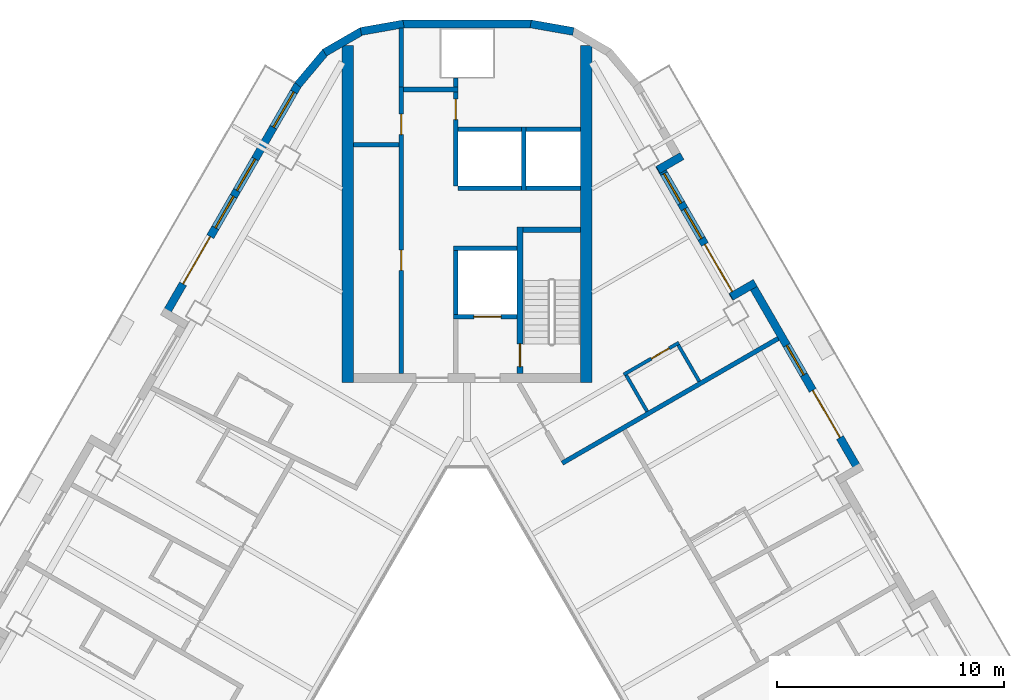
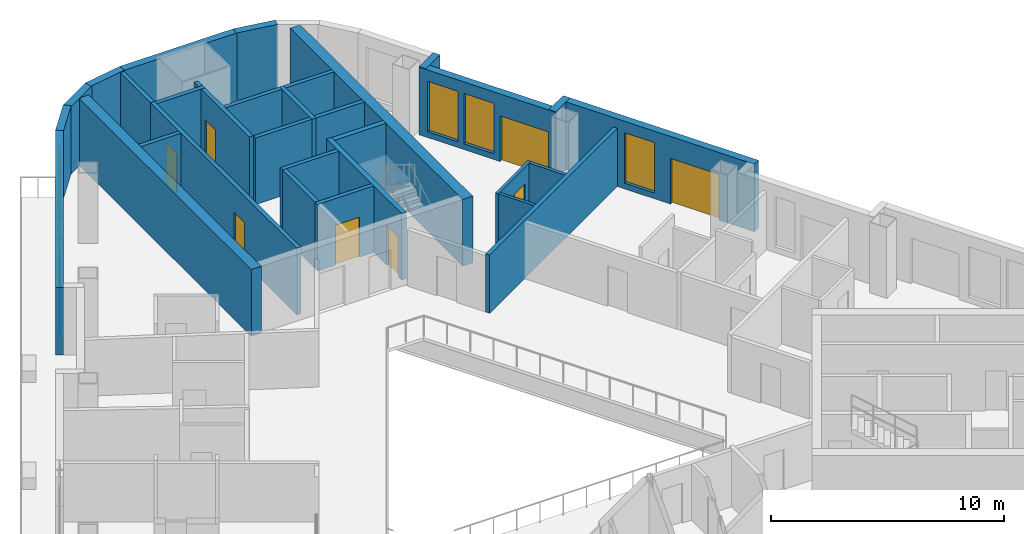
# One storey, part 7 of 14: 32 walls, 9 doors, 6 windows, 15 openings.
"""IFC4 building model written with IfcOpenShell, lengths in metres."""

from ifc_helpers import new_model, si_unit, direction, frame, frame_2d, origin, place, context, subcontext, project, spatial, rectangle, extrude, material, layer, layer_set, type_object, element, fill, save


model = new_model("IFC4")

# Units and contexts
model_context = context("Model", 3, precision=1e-05, world=origin(), true_north=direction((0.0, 1.0)))
body_context = subcontext(model_context, "Body", "Model", "MODEL_VIEW")
ifc_project = project(units=[si_unit("LENGTHUNIT", "METRE"), si_unit("AREAUNIT", "SQUARE_METRE"), si_unit("VOLUMEUNIT", "CUBIC_METRE"), si_unit("PLANEANGLEUNIT", "RADIAN"), si_unit("MASSUNIT", "GRAM", prefix="KILO")], contexts=[model_context])

# Site, building, storey
site_placement = place(None, origin())
site = spatial("IfcSite", under=ifc_project, at=site_placement, CompositionType="ELEMENT")
building_placement = place(site_placement, origin())
building = spatial("IfcBuilding", under=site, at=building_placement, Name="Apuvela Tower Hotel", CompositionType="ELEMENT")
storey_placement = place(building_placement, frame((0.0, 0.0, 150.300048828125)))
storey = spatial("IfcBuildingStorey", under=building, at=storey_placement, Name="L35", CompositionType="ELEMENT", Elevation=150.300048828125)

# Walls
ifc_material_1 = material(Name="Concrete C50/60", Category="concrete")
ifc_layer_1 = layer(ifc_material_1, 0.5)
ifc_layer_set_1 = layer_set([ifc_layer_1], Name="COR-WALL-CORE-500")
wall_type_1 = type_object("IfcWallType", Name="COR-WALL-CORE-500", PredefinedType="SHEAR", material=ifc_layer_set_1)
for number, where, z_axis, x_axis, name in (
    (1, (5.25, 12.89990234375, 0.0), (0.0, 0.0, 1.0), (0.0, 1.0, 0.0), "Core wall N"),
    (2, (-5.25, 12.89990234375, 0.0), (0.0, 0.0, 1.0), (0.0, 1.0, 0.0), "Core wall N"),
):
    element("IfcWall", number, at=place(storey_placement, frame(where, z_axis=z_axis, x_axis=x_axis)), inside=storey, type_object=wall_type_1, Name=name, PredefinedType="SHEAR", context=body_context, shape_type="SweptSolid", body=[
        extrude(rectangle(XDim=14.8369140625, YDim=0.5, at=frame_2d((7.41845703125, 0.0))), origin(), (0.0, 0.0, 1.0), 3.5),
    ])
ifc_material_2 = material(Name="Blockwork 200 mm plastered", Category="masonry")
ifc_layer_2 = layer(ifc_material_2, 0.199951171875)
ifc_layer_set_2 = layer_set([ifc_layer_2], Name="COR-WALL-PART-200")
wall_type_2 = type_object("IfcWallType", Name="COR-WALL-PART-200", PredefinedType="PARTITIONING", material=ifc_layer_set_2)
wall_1_placement = place(storey_placement, frame((5.0, 21.449951171875, 0.0), z_axis=(0.0, 0.0, 1.0), x_axis=(-1.0, 0.0, 0.0)))
element("IfcWall", 3, at=wall_1_placement, inside=storey, type_object=wall_type_2, Name="Partition N", PredefinedType="PARTITIONING", context=body_context, shape_type="SweptSolid", body=[
    extrude(rectangle(XDim=2.39990234375, YDim=0.199951171875, at=frame_2d((1.199951171875, 0.0))), origin(), (0.0, 0.0, 1.0), 3.5),
])
wall_2_placement = place(storey_placement, frame((2.39990234375, 21.449951171875, 0.0), z_axis=(0.0, 0.0, 1.0), x_axis=(-1.0, 0.0, 0.0)))
element("IfcWall", 4, at=wall_2_placement, inside=storey, type_object=wall_type_2, Name="Partition N", PredefinedType="PARTITIONING", context=body_context, shape_type="SweptSolid", body=[
    extrude(rectangle(XDim=2.7998046875, YDim=0.199951171875, at=frame_2d((1.39990234375, 0.0))), origin(), (0.0, 0.0, 1.0), 3.5),
])
ifc_layer_3 = layer(ifc_material_1, 0.199951171875)
ifc_layer_set_3 = layer_set([ifc_layer_3], Name="COR-WALL-SHAFT-200")
wall_type_3 = type_object("IfcWallType", Name="COR-WALL-SHAFT-200", PredefinedType="SHEAR", material=ifc_layer_set_3)
wall_3_placement = place(storey_placement, frame((2.199951171875, 18.800048828125, 0.0), z_axis=(0.0, 0.0, 1.0), x_axis=(-1.0, 0.0, 0.0)))
element("IfcWall", 5, at=wall_3_placement, inside=storey, type_object=wall_type_3, Name="Shaft wall N", PredefinedType="SHEAR", context=body_context, shape_type="SweptSolid", body=[
    extrude(rectangle(XDim=2.800048828125, YDim=0.199951171875, at=frame_2d((1.39990234375, 0.0))), origin(), (0.0, 0.0, 1.0), 3.5),
])

# Wall, opening, door
wall_4_placement = place(storey_placement, frame((2.199951171875, 15.800048828125, 0.0), z_axis=(0.0, 0.0, 1.0), x_axis=(-1.0, 0.0, 0.0)))
wall_4 = element("IfcWall", 6, at=wall_4_placement, inside=storey, type_object=wall_type_3, Name="Shaft wall N", PredefinedType="SHEAR", context=body_context, shape_type="SweptSolid", body=[
    extrude(rectangle(XDim=2.800048828125, YDim=0.199951171875, at=frame_2d((1.39990234375, 0.0))), origin(), (0.0, 0.0, 1.0), 3.5),
])
opening_1_placement = place(wall_4_placement, frame((0.699951171875, 0.0, 0.0)))
opening_1 = element("IfcOpeningElement", 7, at=opening_1_placement, cuts=wall_4, Name="Opening N-LD-FS1", PredefinedType="OPENING", context=body_context, shape_type="SweptSolid", body=[
    extrude(rectangle(XDim=1.199951171875, YDim=2.10009765625, at=frame_2d((0.60009765625, 1.050048828125))), frame((0.0, 0.10986328125, 0.0), z_axis=(0.0, -1.0, 0.0), x_axis=(1.0, 0.0, 0.0)), (0.0, 0.0, 1.0), 0.219970703125),
])
ifc_material_3 = material(Name="Stainless steel lift landing door", Category="steel")
door_type_1 = type_object("IfcDoorType", Name="COR-LD-1200", OperationType="DOUBLE_DOOR_SLIDING", PredefinedType="DOOR", material=ifc_material_3)
door_1_placement = place(opening_1_placement, origin())
door_1 = element("IfcDoor", 8, at=door_1_placement, inside=storey, type_object=door_type_1, Name="Lift landing door N-LD-FS1", OperationType="DOUBLE_DOOR_SLIDING", OverallHeight=2.10009765625, OverallWidth=1.199951171875, PredefinedType="DOOR", context=body_context, shape_type="SweptSolid", body=[
    extrude(rectangle(XDim=1.199951171875, YDim=2.10009765625, at=frame_2d((0.60009765625, 1.050048828125))), frame((0.0, 0.02490234375, 0.0), z_axis=(0.0, -1.0, 0.0), x_axis=(1.0, 0.0, 0.0)), (0.0, 0.0, 1.0), 0.050048828125),
])
fill(opening_1, door_1)

# Wall
wall_5_placement = place(storey_placement, frame((-0.5, 15.89990234375, 0.0), z_axis=(0.0, 0.0, 1.0), x_axis=(0.0, 1.0, 0.0)))
element("IfcWall", 9, at=wall_5_placement, inside=storey, type_object=wall_type_3, Name="Shaft wall N", PredefinedType="SHEAR", context=body_context, shape_type="SweptSolid", body=[
    extrude(rectangle(XDim=2.800048828125, YDim=0.199951171875, at=frame_2d((1.39990234375, 0.0))), origin(), (0.0, 0.0, 1.0), 3.5),
])

# Wall, openings, doors
wall_6_placement = place(storey_placement, frame((-2.89990234375, 13.300048828125, 0.0), z_axis=(0.0, 0.0, 1.0), x_axis=(0.0, 1.0, 0.0)))
wall_6 = element("IfcWall", 10, at=wall_6_placement, inside=storey, type_object=wall_type_3, Name="Shaft wall N", PredefinedType="SHEAR", context=body_context, shape_type="SweptSolid", body=[
    extrude(rectangle(XDim=12.599853515625, YDim=0.199951171875, at=frame_2d((6.2998046875, 0.0))), origin(), (0.0, 0.0, 1.0), 3.5),
])
opening_2_placement = place(wall_6_placement, frame((4.530029296875, 0.0, 0.0)))
opening_2 = element("IfcOpeningElement", 11, at=opening_2_placement, cuts=wall_6, Name="Opening N-RE1", PredefinedType="OPENING", context=body_context, shape_type="SweptSolid", body=[
    extrude(rectangle(XDim=0.89990234375, YDim=2.10009765625, at=frame_2d((0.449951171875, 1.050048828125))), frame((0.0, 0.10986328125, 0.0), z_axis=(0.0, -1.0, 0.0), x_axis=(1.0, 0.0, 0.0)), (0.0, 0.0, 1.0), 0.219970703125),
])
opening_3_placement = place(wall_6_placement, frame((10.510009765625, 0.0, 0.0)))
opening_3 = element("IfcOpeningElement", 12, at=opening_3_placement, cuts=wall_6, Name="Opening N-REP", PredefinedType="OPENING", context=body_context, shape_type="SweptSolid", body=[
    extrude(rectangle(XDim=0.89990234375, YDim=2.10009765625, at=frame_2d((0.449951171875, 1.050048828125))), frame((0.0, 0.10986328125, 0.0), z_axis=(0.0, -1.0, 0.0), x_axis=(1.0, 0.0, 0.0)), (0.0, 0.0, 1.0), 0.219970703125),
])
ifc_material_4 = material(Name="Steel fire door, powder coated", Category="steel")
door_type_2 = type_object("IfcDoorType", Name="COR-DR-900", OperationType="NOTDEFINED", PredefinedType="DOOR", material=ifc_material_4)
door_2_placement = place(opening_2_placement, origin())
door_2 = element("IfcDoor", 13, at=door_2_placement, inside=storey, type_object=door_type_2, Name="Store door N-RE1", OperationType="SINGLE_SWING_LEFT", OverallHeight=2.10009765625, OverallWidth=0.89990234375, PredefinedType="DOOR", context=body_context, shape_type="SweptSolid", body=[
    extrude(rectangle(XDim=0.89990234375, YDim=2.10009765625, at=frame_2d((0.449951171875, 1.050048828125))), frame((0.0, 0.02490234375, 0.0), z_axis=(0.0, -1.0, 0.0), x_axis=(1.0, 0.0, 0.0)), (0.0, 0.0, 1.0), 0.050048828125),
])
fill(opening_2, door_2)
door_3_placement = place(opening_3_placement, origin())
door_3 = element("IfcDoor", 14, at=door_3_placement, inside=storey, type_object=door_type_2, Name="Store door N-REP", OperationType="SINGLE_SWING_RIGHT", OverallHeight=2.10009765625, OverallWidth=0.89990234375, PredefinedType="DOOR", context=body_context, shape_type="SweptSolid", body=[
    extrude(rectangle(XDim=0.89990234375, YDim=2.10009765625, at=frame_2d((0.449951171875, 1.050048828125))), frame((0.0, 0.02490234375, 0.0), z_axis=(0.0, -1.0, 0.0), x_axis=(1.0, 0.0, 0.0)), (0.0, 0.0, 1.0), 0.050048828125),
])
fill(opening_3, door_3)

# Wall
wall_7_placement = place(storey_placement, frame((-0.39990234375, 25.800048828125, 0.0), z_axis=(0.0, 0.0, 1.0), x_axis=(-1.0, 0.0, 0.0)))
element("IfcWall", 15, at=wall_7_placement, inside=storey, type_object=wall_type_3, Name="Shaft wall N", PredefinedType="SHEAR", context=body_context, shape_type="SweptSolid", body=[
    extrude(rectangle(XDim=2.400146484375, YDim=0.199951171875, at=frame_2d((1.2001953125, 0.0))), origin(), (0.0, 0.0, 1.0), 3.5),
])

# Wall, opening, door
wall_8_placement = place(storey_placement, frame((-0.5, 21.550048828125, 0.0), z_axis=(0.0, 0.0, 1.0), x_axis=(0.0, 1.0, 0.0)))
wall_8 = element("IfcWall", 16, at=wall_8_placement, inside=storey, type_object=wall_type_3, Name="Shaft wall N", PredefinedType="SHEAR", context=body_context, shape_type="SweptSolid", body=[
    extrude(rectangle(XDim=4.14990234375, YDim=0.199951171875, at=frame_2d((2.074951171875, 0.0))), origin(), (0.0, 0.0, 1.0), 3.5),
])
opening_4_placement = place(wall_8_placement, frame((2.925048828125, 0.0, 0.0)))
opening_4 = element("IfcOpeningElement", 17, at=opening_4_placement, cuts=wall_8, Name="Opening N-RSP", PredefinedType="OPENING", context=body_context, shape_type="SweptSolid", body=[
    extrude(rectangle(XDim=0.89990234375, YDim=2.10009765625, at=frame_2d((0.449951171875, 1.050048828125))), frame((0.0, 0.10986328125, 0.0), z_axis=(0.0, -1.0, 0.0), x_axis=(1.0, 0.0, 0.0)), (0.0, 0.0, 1.0), 0.219970703125),
])
door_4_placement = place(opening_4_placement, frame((0.89990234375, 0.0, 0.0), z_axis=(0.0, 0.0, 1.0), x_axis=(-1.0, 0.0, 0.0)))
door_4 = element("IfcDoor", 18, at=door_4_placement, inside=storey, type_object=door_type_2, Name="Store door N-RSP", OperationType="SINGLE_SWING_LEFT", OverallHeight=2.10009765625, OverallWidth=0.89990234375, PredefinedType="DOOR", context=body_context, shape_type="SweptSolid", body=[
    extrude(rectangle(XDim=0.89990234375, YDim=2.10009765625, at=frame_2d((0.449951171875, 1.050048828125))), frame((0.0, 0.02490234375, 0.0), z_axis=(0.0, -1.0, 0.0), x_axis=(1.0, 0.0, 0.0)), (0.0, 0.0, 1.0), 0.050048828125),
])
fill(opening_4, door_4)

# Walls
wall_9_placement = place(storey_placement, frame((-3.0, 23.360107421875, 0.0), z_axis=(0.0, 0.0, 1.0), x_axis=(-1.0, 0.0, 0.0)))
element("IfcWall", 19, at=wall_9_placement, inside=storey, type_object=wall_type_3, Name="Shaft wall N", PredefinedType="SHEAR", context=body_context, shape_type="SweptSolid", body=[
    extrude(rectangle(XDim=2.0, YDim=0.199951171875, at=frame_2d((1.0, 0.0))), origin(), (0.0, 0.0, 1.0), 3.5),
])
wall_10_placement = place(storey_placement, frame((-0.5, 25.89990234375, 0.0), z_axis=(0.0, 0.0, 1.0), x_axis=(0.0, 1.0, 0.0)))
element("IfcWall", 20, at=wall_10_placement, inside=storey, type_object=wall_type_3, Name="Shaft wall N", PredefinedType="SHEAR", context=body_context, shape_type="SweptSolid", body=[
    extrude(rectangle(XDim=0.400146484375, YDim=0.199951171875, at=frame_2d((0.2001953125, 0.0))), origin(), (0.0, 0.0, 1.0), 3.5),
])
wall_11_placement = place(storey_placement, frame((-2.89990234375, 25.89990234375, 0.0), z_axis=(0.0, 0.0, 1.0), x_axis=(0.0, 1.0, 0.0)))
element("IfcWall", 21, at=wall_11_placement, inside=storey, type_object=wall_type_3, Name="Shaft wall N", PredefinedType="SHEAR", context=body_context, shape_type="SweptSolid", body=[
    extrude(rectangle(XDim=2.60009765625, YDim=0.199951171875, at=frame_2d((1.300048828125, 0.0))), origin(), (0.0, 0.0, 1.0), 3.5),
])
wall_12_placement = place(storey_placement, frame((2.5, 21.35009765625, 0.0), z_axis=(0.0, 0.0, 1.0), x_axis=(0.0, 1.0, 0.0)))
element("IfcWall", 22, at=wall_12_placement, inside=storey, type_object=wall_type_3, Name="Shaft wall N", PredefinedType="SHEAR", context=body_context, shape_type="SweptSolid", body=[
    extrude(rectangle(XDim=2.7998046875, YDim=0.199951171875, at=frame_2d((1.39990234375, 0.0))), origin(), (0.0, 0.0, 1.0), 3.5),
])
wall_13_placement = place(storey_placement, frame((5.0, 24.050048828125, 0.0), z_axis=(0.0, 0.0, 1.0), x_axis=(-1.0, 0.0, 0.0)))
element("IfcWall", 23, at=wall_13_placement, inside=storey, type_object=wall_type_3, Name="Shaft wall N", PredefinedType="SHEAR", context=body_context, shape_type="SweptSolid", body=[
    extrude(rectangle(XDim=2.39990234375, YDim=0.199951171875, at=frame_2d((1.199951171875, 0.0))), origin(), (0.0, 0.0, 1.0), 3.5),
])
wall_14_placement = place(storey_placement, frame((2.39990234375, 24.050048828125, 0.0), z_axis=(0.0, 0.0, 1.0), x_axis=(-1.0, 0.0, 0.0)))
element("IfcWall", 24, at=wall_14_placement, inside=storey, type_object=wall_type_3, Name="Shaft wall N", PredefinedType="SHEAR", context=body_context, shape_type="SweptSolid", body=[
    extrude(rectangle(XDim=2.7998046875, YDim=0.199951171875, at=frame_2d((1.39990234375, 0.0))), origin(), (0.0, 0.0, 1.0), 3.5),
])

# Wall, opening, door
ifc_layer_4 = layer(ifc_material_1, 0.25)
ifc_layer_set_4 = layer_set([ifc_layer_4], Name="COR-WALL-STAIR-250")
wall_type_4 = type_object("IfcWallType", Name="COR-WALL-STAIR-250", PredefinedType="SHEAR", material=ifc_layer_set_4)
wall_15_placement = place(storey_placement, frame((2.324951171875, 13.300048828125, 0.0), z_axis=(0.0, 0.0, 1.0), x_axis=(0.0, 1.0, 0.0)))
wall_15 = element("IfcWall", 25, at=wall_15_placement, inside=storey, type_object=wall_type_4, Name="Stair wall N", PredefinedType="SHEAR", context=body_context, shape_type="SweptSolid", body=[
    extrude(rectangle(XDim=6.449951171875, YDim=0.25, at=frame_2d((3.22509765625, 0.0))), origin(), (0.0, 0.0, 1.0), 3.5),
])
opening_5_placement = place(wall_15_placement, frame((0.300048828125, 0.0, 0.0)))
opening_5 = element("IfcOpeningElement", 26, at=opening_5_placement, cuts=wall_15, Name="Opening N-SD", PredefinedType="OPENING", context=body_context, shape_type="SweptSolid", body=[
    extrude(rectangle(XDim=1.0, YDim=2.10009765625, at=frame_2d((0.5, 1.050048828125))), frame((0.0, 0.135009765625, 0.0), z_axis=(0.0, -1.0, 0.0), x_axis=(1.0, 0.0, 0.0)), (0.0, 0.0, 1.0), 0.27001953125),
])
door_type_3 = type_object("IfcDoorType", Name="COR-SD-1000", OperationType="NOTDEFINED", PredefinedType="DOOR", material=ifc_material_4)
door_5_placement = place(opening_5_placement, frame((1.0, 0.0, 0.0), z_axis=(0.0, 0.0, 1.0), x_axis=(-1.0, 0.0, 0.0)))
door_5 = element("IfcDoor", 27, at=door_5_placement, inside=storey, type_object=door_type_3, Name="Stair door N-SD", OperationType="SINGLE_SWING_LEFT", OverallHeight=2.10009765625, OverallWidth=1.0, PredefinedType="DOOR", context=body_context, shape_type="SweptSolid", body=[
    extrude(rectangle(XDim=1.0, YDim=2.10009765625, at=frame_2d((0.5, 1.050048828125))), frame((0.0, 0.02490234375, 0.0), z_axis=(0.0, -1.0, 0.0), x_axis=(1.0, 0.0, 0.0)), (0.0, 0.0, 1.0), 0.050048828125),
])
fill(opening_5, door_5)

# Wall
wall_16_placement = place(storey_placement, frame((5.0, 19.625, 0.0), z_axis=(0.0, 0.0, 1.0), x_axis=(-1.0, 0.0, 0.0)))
element("IfcWall", 28, at=wall_16_placement, inside=storey, type_object=wall_type_4, Name="Stair wall N", PredefinedType="SHEAR", context=body_context, shape_type="SweptSolid", body=[
    extrude(rectangle(XDim=2.550048828125, YDim=0.25, at=frame_2d((1.27490234375, 0.0))), origin(), (0.0, 0.0, 1.0), 3.5),
])

# Wall, openings, door, windows
ifc_material_5 = material(Name="Concrete C40/50, dark pigmented precast panel", Category="concrete")
ifc_layer_5 = layer(ifc_material_5, 0.35009765625)
ifc_layer_set_5 = layer_set([ifc_layer_5], Name="ENV-WALL-350")
wall_type_5 = type_object("IfcWallType", Name="ENV-WALL-350", PredefinedType="SOLIDWALL", material=ifc_layer_set_5)
wall_17_placement = place(storey_placement, frame((-7.440673828125, 26.0224609375, 0.0), z_axis=(0.0, 0.0, 1.0), x_axis=(-0.499992533062, -0.86602971478, 0.0)))
wall_17 = element("IfcWall", 29, at=wall_17_placement, inside=storey, type_object=wall_type_5, Name="External wall L35-01", PredefinedType="SOLIDWALL", context=body_context, shape_type="SweptSolid", body=[
    extrude(rectangle(XDim=11.815673828125, YDim=0.35009765625, at=frame_2d((5.90771484375, 0.0))), origin(), (0.0, 0.0, 1.0), 3.550048828125),
])
opening_6_placement = place(wall_17_placement, frame((0.381103515625, 0.0, 0.300048828125)))
opening_6 = element("IfcOpeningElement", 30, at=opening_6_placement, cuts=wall_17, Name="Opening WN18", PredefinedType="OPENING", context=body_context, shape_type="SweptSolid", body=[
    extrude(rectangle(XDim=1.800048828125, YDim=2.64990234375, at=frame_2d((0.89990234375, 1.324951171875))), frame((0.0, 0.18505859375, 0.0), z_axis=(0.0, -1.0, 0.0), x_axis=(1.0, 0.0, 0.0)), (0.0, 0.0, 1.0), 0.3701171875),
])
opening_7_placement = place(wall_17_placement, frame((7.740478515625, 0.0, 0.0)))
opening_7 = element("IfcOpeningElement", 31, at=opening_7_placement, cuts=wall_17, Name="Opening BD24", PredefinedType="OPENING", context=body_context, shape_type="SweptSolid", body=[
    extrude(rectangle(XDim=2.39990234375, YDim=2.39990234375, at=frame_2d((1.199951171875, 1.199951171875))), frame((0.0, 0.18505859375, 0.0), z_axis=(0.0, -1.0, 0.0), x_axis=(1.0, 0.0, 0.0)), (0.0, 0.0, 1.0), 0.3701171875),
])
opening_8_placement = place(wall_17_placement, frame((3.791015625, 0.0, 0.300048828125)))
opening_8 = element("IfcOpeningElement", 32, at=opening_8_placement, cuts=wall_17, Name="Opening WN16", PredefinedType="OPENING", context=body_context, shape_type="SweptSolid", body=[
    extrude(rectangle(XDim=1.60009765625, YDim=2.64990234375, at=frame_2d((0.800048828125, 1.324951171875))), frame((0.0, 0.18505859375, 0.0), z_axis=(0.0, -1.0, 0.0), x_axis=(1.0, 0.0, 0.0)), (0.0, 0.0, 1.0), 0.3701171875),
])
opening_9_placement = place(wall_17_placement, frame((5.69091796875, 0.0, 0.300048828125)))
opening_9 = element("IfcOpeningElement", 33, at=opening_9_placement, cuts=wall_17, Name="Opening WN16", PredefinedType="OPENING", context=body_context, shape_type="SweptSolid", body=[
    extrude(rectangle(XDim=1.60009765625, YDim=2.64990234375, at=frame_2d((0.800048828125, 1.324951171875))), frame((0.0, 0.18505859375, 0.0), z_axis=(0.0, -1.0, 0.0), x_axis=(1.0, 0.0, 0.0)), (0.0, 0.0, 1.0), 0.3701171875),
])
ifc_material_6 = material(Name="Aluminium 6063-T6, dark bronze anodised frame with dark tinted laminated glass", Category="aluminium")
door_type_4 = type_object("IfcDoorType", Name="ENV-DOOR-BALCONY-2400x2400", OperationType="SLIDING_TO_LEFT", PredefinedType="DOOR", material=ifc_material_6)
door_6_placement = place(opening_7_placement, frame((2.39990234375, 0.0, 0.0), z_axis=(0.0, 0.0, 1.0), x_axis=(-1.0, 0.0, 0.0)))
door_6 = element("IfcDoor", 34, at=door_6_placement, inside=storey, type_object=door_type_4, Name="Balcony door BD24", OperationType="SLIDING_TO_LEFT", OverallHeight=2.39990234375, OverallWidth=2.39990234375, PredefinedType="DOOR", context=body_context, shape_type="SweptSolid", body=[
    extrude(rectangle(XDim=2.39990234375, YDim=2.39990234375, at=frame_2d((1.199951171875, 1.199951171875))), frame((0.0, 0.02490234375, 0.0), z_axis=(0.0, -1.0, 0.0), x_axis=(1.0, 0.0, 0.0)), (0.0, 0.0, 1.0), 0.050048828125),
])
fill(opening_7, door_6)
ifc_material_7 = material(Name="Glass, dark tinted laminated insulated glazing unit", Category="glass")
window_type_1 = type_object("IfcWindowType", Name="ENV-WIN-1600x2650", PartitioningType="SINGLE_PANEL", PredefinedType="WINDOW", material=ifc_material_7)
window_1_placement = place(opening_8_placement, origin())
window_1 = element("IfcWindow", 35, at=window_1_placement, inside=storey, type_object=window_type_1, Name="Window WN16", OverallHeight=2.64990234375, OverallWidth=1.60009765625, PartitioningType="SINGLE_PANEL", PredefinedType="WINDOW", context=body_context, shape_type="SweptSolid", body=[
    extrude(rectangle(XDim=1.60009765625, YDim=2.64990234375, at=frame_2d((0.800048828125, 1.324951171875))), frame((0.0, 0.030029296875, 0.0), z_axis=(0.0, -1.0, 0.0), x_axis=(1.0, 0.0, 0.0)), (0.0, 0.0, 1.0), 0.06005859375),
])
fill(opening_8, window_1)
window_2_placement = place(opening_9_placement, origin())
window_2 = element("IfcWindow", 36, at=window_2_placement, inside=storey, type_object=window_type_1, Name="Window WN16", OverallHeight=2.64990234375, OverallWidth=1.60009765625, PartitioningType="SINGLE_PANEL", PredefinedType="WINDOW", context=body_context, shape_type="SweptSolid", body=[
    extrude(rectangle(XDim=1.60009765625, YDim=2.64990234375, at=frame_2d((0.800048828125, 1.324951171875))), frame((0.0, 0.030029296875, 0.0), z_axis=(0.0, -1.0, 0.0), x_axis=(1.0, 0.0, 0.0)), (0.0, 0.0, 1.0), 0.06005859375),
])
fill(opening_9, window_2)
window_type_2 = type_object("IfcWindowType", Name="ENV-WIN-1800x2650", PartitioningType="SINGLE_PANEL", PredefinedType="WINDOW", material=ifc_material_7)
window_3_placement = place(opening_6_placement, origin())
window_3 = element("IfcWindow", 37, at=window_3_placement, inside=storey, type_object=window_type_2, Name="Window WN18", OverallHeight=2.64990234375, OverallWidth=1.800048828125, PartitioningType="SINGLE_PANEL", PredefinedType="WINDOW", context=body_context, shape_type="SweptSolid", body=[
    extrude(rectangle(XDim=1.800048828125, YDim=2.64990234375, at=frame_2d((0.89990234375, 1.324951171875))), frame((0.0, 0.030029296875, 0.0), z_axis=(0.0, -1.0, 0.0), x_axis=(1.0, 0.0, 0.0)), (0.0, 0.0, 1.0), 0.06005859375),
])
fill(opening_6, window_3)

# Wall, openings, door, window
wall_18_placement = place(storey_placement, frame((17.298583984375, 8.947998046875, 0.0), z_axis=(0.0, 0.0, 1.0), x_axis=(-0.500010041276, 0.866019606374, 0.0)))
wall_18 = element("IfcWall", 38, at=wall_18_placement, inside=storey, type_object=wall_type_5, Name="External wall L35-37", PredefinedType="SOLIDWALL", context=body_context, shape_type="SweptSolid", body=[
    extrude(rectangle(XDim=9.699951171875, YDim=0.35009765625, at=frame_2d((4.85009765625, 0.0))), origin(), (0.0, 0.0, 1.0), 3.550048828125),
])
opening_10_placement = place(wall_18_placement, frame((1.761962890625, 0.0, 0.0)))
opening_10 = element("IfcOpeningElement", 39, at=opening_10_placement, cuts=wall_18, Name="Opening BD24", PredefinedType="OPENING", context=body_context, shape_type="SweptSolid", body=[
    extrude(rectangle(XDim=2.39990234375, YDim=2.39990234375, at=frame_2d((1.199951171875, 1.199951171875))), frame((0.0, 0.18505859375, 0.0), z_axis=(0.0, -1.0, 0.0), x_axis=(1.0, 0.0, 0.0)), (0.0, 0.0, 1.0), 0.3701171875),
])
opening_11_placement = place(wall_18_placement, frame((4.94921875, 0.0, 0.300048828125)))
opening_11 = element("IfcOpeningElement", 40, at=opening_11_placement, cuts=wall_18, Name="Opening WN15", PredefinedType="OPENING", context=body_context, shape_type="SweptSolid", body=[
    extrude(rectangle(XDim=1.5, YDim=2.64990234375, at=frame_2d((0.75, 1.324951171875))), frame((0.0, 0.18505859375, 0.0), z_axis=(0.0, -1.0, 0.0), x_axis=(1.0, 0.0, 0.0)), (0.0, 0.0, 1.0), 0.3701171875),
])
door_7_placement = place(opening_10_placement, frame((2.39990234375, 0.0, 0.0), z_axis=(0.0, 0.0, 1.0), x_axis=(-1.0, 0.0, 0.0)))
door_7 = element("IfcDoor", 41, at=door_7_placement, inside=storey, type_object=door_type_4, Name="Balcony door BD24", OperationType="SLIDING_TO_LEFT", OverallHeight=2.39990234375, OverallWidth=2.39990234375, PredefinedType="DOOR", context=body_context, shape_type="SweptSolid", body=[
    extrude(rectangle(XDim=2.39990234375, YDim=2.39990234375, at=frame_2d((1.199951171875, 1.199951171875))), frame((0.0, 0.02490234375, 0.0), z_axis=(0.0, -1.0, 0.0), x_axis=(1.0, 0.0, 0.0)), (0.0, 0.0, 1.0), 0.050048828125),
])
fill(opening_10, door_7)
window_type_3 = type_object("IfcWindowType", Name="ENV-WIN-1500x2650", PartitioningType="SINGLE_PANEL", PredefinedType="WINDOW", material=ifc_material_7)
window_4_placement = place(opening_11_placement, origin())
window_4 = element("IfcWindow", 42, at=window_4_placement, inside=storey, type_object=window_type_3, Name="Window WN15", OverallHeight=2.64990234375, OverallWidth=1.5, PartitioningType="SINGLE_PANEL", PredefinedType="WINDOW", context=body_context, shape_type="SweptSolid", body=[
    extrude(rectangle(XDim=1.5, YDim=2.64990234375, at=frame_2d((0.75, 1.324951171875))), frame((0.0, 0.030029296875, 0.0), z_axis=(0.0, -1.0, 0.0), x_axis=(1.0, 0.0, 0.0)), (0.0, 0.0, 1.0), 0.06005859375),
])
fill(opening_11, window_4)

# Wall
wall_19_placement = place(storey_placement, frame((12.6875, 17.284423828125, 0.0), z_axis=(0.0, 0.0, 1.0), x_axis=(-0.865955602162, -0.500120880472, 0.0)))
element("IfcWall", 43, at=wall_19_placement, inside=storey, type_object=wall_type_5, Name="External wall L35-38", PredefinedType="SOLIDWALL", context=body_context, shape_type="SweptSolid", body=[
    extrude(rectangle(XDim=1.219970703125, YDim=0.35009765625, at=frame_2d((0.60986328125, 0.0))), origin(), (0.0, 0.0, 1.0), 3.550048828125),
])

# Wall, openings, door, windows
wall_20_placement = place(storey_placement, frame((11.8291015625, 16.621337890625, 0.0), z_axis=(0.0, 0.0, 1.0), x_axis=(-0.500003597184, 0.866023326939, 0.0)))
wall_20 = element("IfcWall", 44, at=wall_20_placement, inside=storey, type_object=wall_type_5, Name="External wall L35-39", PredefinedType="SOLIDWALL", context=body_context, shape_type="SweptSolid", body=[
    extrude(rectangle(XDim=6.740234375, YDim=0.35009765625, at=frame_2d((3.3701171875, 0.0))), origin(), (0.0, 0.0, 1.0), 3.550048828125),
])
opening_12_placement = place(wall_20_placement, frame((0.320068359375, 0.0, 0.0)))
opening_12 = element("IfcOpeningElement", 45, at=opening_12_placement, cuts=wall_20, Name="Opening BD24", PredefinedType="OPENING", context=body_context, shape_type="SweptSolid", body=[
    extrude(rectangle(XDim=2.39990234375, YDim=2.39990234375, at=frame_2d((1.199951171875, 1.199951171875))), frame((0.0, 0.18505859375, 0.0), z_axis=(0.0, -1.0, 0.0), x_axis=(1.0, 0.0, 0.0)), (0.0, 0.0, 1.0), 0.3701171875),
])
opening_13_placement = place(wall_20_placement, frame((3.02001953125, 0.0, 0.300048828125)))
opening_13 = element("IfcOpeningElement", 46, at=opening_13_placement, cuts=wall_20, Name="Opening WN15", PredefinedType="OPENING", context=body_context, shape_type="SweptSolid", body=[
    extrude(rectangle(XDim=1.5, YDim=2.64990234375, at=frame_2d((0.75, 1.324951171875))), frame((0.0, 0.18505859375, 0.0), z_axis=(0.0, -1.0, 0.0), x_axis=(1.0, 0.0, 0.0)), (0.0, 0.0, 1.0), 0.3701171875),
])
opening_14_placement = place(wall_20_placement, frame((4.820068359375, 0.0, 0.300048828125)))
opening_14 = element("IfcOpeningElement", 47, at=opening_14_placement, cuts=wall_20, Name="Opening WN15", PredefinedType="OPENING", context=body_context, shape_type="SweptSolid", body=[
    extrude(rectangle(XDim=1.5, YDim=2.64990234375, at=frame_2d((0.75, 1.324951171875))), frame((0.0, 0.18505859375, 0.0), z_axis=(0.0, -1.0, 0.0), x_axis=(1.0, 0.0, 0.0)), (0.0, 0.0, 1.0), 0.3701171875),
])
door_8_placement = place(opening_12_placement, frame((2.39990234375, 0.0, 0.0), z_axis=(0.0, 0.0, 1.0), x_axis=(-1.0, 0.0, 0.0)))
door_8 = element("IfcDoor", 48, at=door_8_placement, inside=storey, type_object=door_type_4, Name="Balcony door BD24", OperationType="SLIDING_TO_LEFT", OverallHeight=2.39990234375, OverallWidth=2.39990234375, PredefinedType="DOOR", context=body_context, shape_type="SweptSolid", body=[
    extrude(rectangle(XDim=2.39990234375, YDim=2.39990234375, at=frame_2d((1.199951171875, 1.199951171875))), frame((0.0, 0.02490234375, 0.0), z_axis=(0.0, -1.0, 0.0), x_axis=(1.0, 0.0, 0.0)), (0.0, 0.0, 1.0), 0.050048828125),
])
fill(opening_12, door_8)
window_5_placement = place(opening_13_placement, origin())
window_5 = element("IfcWindow", 49, at=window_5_placement, inside=storey, type_object=window_type_3, Name="Window WN15", OverallHeight=2.64990234375, OverallWidth=1.5, PartitioningType="SINGLE_PANEL", PredefinedType="WINDOW", context=body_context, shape_type="SweptSolid", body=[
    extrude(rectangle(XDim=1.5, YDim=2.64990234375, at=frame_2d((0.75, 1.324951171875))), frame((0.0, 0.030029296875, 0.0), z_axis=(0.0, -1.0, 0.0), x_axis=(1.0, 0.0, 0.0)), (0.0, 0.0, 1.0), 0.06005859375),
])
fill(opening_13, window_5)
window_6_placement = place(opening_14_placement, origin())
window_6 = element("IfcWindow", 50, at=window_6_placement, inside=storey, type_object=window_type_3, Name="Window WN15", OverallHeight=2.64990234375, OverallWidth=1.5, PartitioningType="SINGLE_PANEL", PredefinedType="WINDOW", context=body_context, shape_type="SweptSolid", body=[
    extrude(rectangle(XDim=1.5, YDim=2.64990234375, at=frame_2d((0.75, 1.324951171875))), frame((0.0, 0.030029296875, 0.0), z_axis=(0.0, -1.0, 0.0), x_axis=(1.0, 0.0, 0.0)), (0.0, 0.0, 1.0), 0.06005859375),
])
fill(opening_14, window_6)

# Walls
wall_21_placement = place(storey_placement, frame((8.406005859375, 22.26025390625, 0.0), z_axis=(0.0, 0.0, 1.0), x_axis=(0.865955602162, 0.500120880472, 0.0)))
element("IfcWall", 51, at=wall_21_placement, inside=storey, type_object=wall_type_5, Name="External wall L35-40", PredefinedType="SOLIDWALL", context=body_context, shape_type="SweptSolid", body=[
    extrude(rectangle(XDim=1.219970703125, YDim=0.35009765625, at=frame_2d((0.60986328125, 0.0))), origin(), (0.0, 0.0, 1.0), 3.550048828125),
])
wall_22_placement = place(storey_placement, frame((4.6796875, 28.35595703125, 0.0), z_axis=(0.0, 0.0, 1.0), x_axis=(-0.984798995425, 0.173697837091, 0.0)))
element("IfcWall", 52, at=wall_22_placement, inside=storey, type_object=wall_type_5, Name="External wall L35-44", PredefinedType="SOLIDWALL", context=body_context, shape_type="SweptSolid", body=[
    extrude(rectangle(XDim=1.91015625, YDim=0.35009765625, at=frame_2d((0.955078125, 0.0))), origin(), (0.0, 0.0, 1.0), 3.550048828125),
])
wall_23_placement = place(storey_placement, frame((2.8291015625, 28.68505859375, 0.0), z_axis=(0.0, 0.0, 1.0), x_axis=(-1.0, 0.0, 0.0)))
element("IfcWall", 53, at=wall_23_placement, inside=storey, type_object=wall_type_5, Name="External wall L35-45", PredefinedType="SOLIDWALL", context=body_context, shape_type="SweptSolid", body=[
    extrude(rectangle(XDim=5.658203125, YDim=0.35009765625, at=frame_2d((2.8291015625, 0.0))), origin(), (0.0, 0.0, 1.0), 3.550048828125),
])
for number, where, z_axis, x_axis, name in (
    (54, (-2.798583984375, 28.687744140625, 0.0), (0.0, 0.0, 1.0), (-0.984798995425, -0.173697837091, 0.0), "External wall L35-46"),
    (55, (-4.62255859375, 28.376708984375, 0.0), (0.0, 0.0, 1.0), (-0.866032345022, -0.499987977232, 0.0), "External wall L35-47"),
):
    element("IfcWall", number, at=place(storey_placement, frame(where, z_axis=z_axis, x_axis=x_axis)), inside=storey, type_object=wall_type_5, Name=name, PredefinedType="SOLIDWALL", context=body_context, shape_type="SweptSolid", body=[
        extrude(rectangle(XDim=1.91015625, YDim=0.35009765625, at=frame_2d((0.955078125, 0.0))), origin(), (0.0, 0.0, 1.0), 3.550048828125),
    ])
wall_24_placement = place(storey_placement, frame((-6.230224609375, 27.460693359375, 0.0), z_axis=(0.0, 0.0, 1.0), x_axis=(-0.642808304945, -0.766027077259, 0.0)))
element("IfcWall", 56, at=wall_24_placement, inside=storey, type_object=wall_type_5, Name="External wall L35-48", PredefinedType="SOLIDWALL", context=body_context, shape_type="SweptSolid", body=[
    extrude(rectangle(XDim=1.909912109375, YDim=0.35009765625, at=frame_2d((0.955078125, 0.0))), origin(), (0.0, 0.0, 1.0), 3.550048828125),
])
ifc_material_8 = material(Name="Gypsum board partition on twin steel stud", Category="steel")
ifc_layer_6 = layer(ifc_material_8, 0.199951171875)
ifc_layer_set_6 = layer_set([ifc_layer_6], Name="GST-PW1")
wall_type_6 = type_object("IfcWallType", Name="GST-PW1", PredefinedType="PARTITIONING", material=ifc_layer_set_6)
wall_25_placement = place(storey_placement, frame((13.697021484375, 14.836181640625, 0.0), z_axis=(0.0, 0.0, 1.0), x_axis=(-0.866027479907, -0.499996404033, 0.0)))
element("IfcWall", 57, at=wall_25_placement, inside=storey, type_object=wall_type_6, Name="L35 partition 07", PredefinedType="PARTITIONING", context=body_context, shape_type="SweptSolid", body=[
    extrude(rectangle(XDim=10.97998046875, YDim=0.199951171875, at=frame_2d((5.489990234375, 0.0))), origin(), (0.0, 0.0, 1.0), 3.06005859375),
])

# Wall, opening, door
ifc_material_9 = material(Name="Moisture-resistant gypsum board wet wall on steel stud", Category="steel")
ifc_layer_7 = layer(ifc_material_9, 0.14990234375)
ifc_layer_set_7 = layer_set([ifc_layer_7], Name="GST-PW3")
wall_type_7 = type_object("IfcWallType", Name="GST-PW3", PredefinedType="PARTITIONING", material=ifc_layer_set_7)
wall_26_placement = place(storey_placement, frame((9.32421875, 14.64990234375, 0.0), z_axis=(0.0, 0.0, 1.0), x_axis=(-0.866034573852, -0.49998411664, 0.0)))
wall_26 = element("IfcWall", 58, at=wall_26_placement, inside=storey, type_object=wall_type_7, Name="L35 partition 39", PredefinedType="PARTITIONING", context=body_context, shape_type="SweptSolid", body=[
    extrude(rectangle(XDim=2.7998046875, YDim=0.14990234375, at=frame_2d((1.39990234375, 0.0))), origin(), (0.0, 0.0, 1.0), 2.949951171875),
])
opening_15_placement = place(wall_26_placement, frame((0.5, 0.0, 0.0)))
opening_15 = element("IfcOpeningElement", 59, at=opening_15_placement, cuts=wall_26, Name="Opening GD12-17", PredefinedType="OPENING", context=body_context, shape_type="SweptSolid", body=[
    extrude(rectangle(XDim=0.89990234375, YDim=2.10009765625, at=frame_2d((0.449951171875, 1.050048828125))), frame((0.0, 0.0849609375, 0.0), z_axis=(0.0, -1.0, 0.0), x_axis=(1.0, 0.0, 0.0)), (0.0, 0.0, 1.0), 0.169921875),
])
ifc_material_10 = material(Name="Timber door leaf in steel frame", Category="steel")
door_type_5 = type_object("IfcDoorType", Name="GST-D2", OperationType="NOTDEFINED", PredefinedType="DOOR", material=ifc_material_10)
door_9_placement = place(opening_15_placement, origin())
door_9 = element("IfcDoor", 60, at=door_9_placement, inside=storey, type_object=door_type_5, Name="Door L35-17", OperationType="SINGLE_SWING_LEFT", OverallHeight=2.10009765625, OverallWidth=0.89990234375, PredefinedType="DOOR", context=body_context, shape_type="SweptSolid", body=[
    extrude(rectangle(XDim=0.89990234375, YDim=2.10009765625, at=frame_2d((0.449951171875, 1.050048828125))), frame((0.0, 0.02490234375, 0.0), z_axis=(0.0, -1.0, 0.0), x_axis=(1.0, 0.0, 0.0)), (0.0, 0.0, 1.0), 0.050048828125),
])
fill(opening_15, door_9)

# Walls
for number, where, z_axis, x_axis, name in (
    (61, (10.2216796875, 12.9453125, 0.0), (0.0, 0.0, 1.0), (-0.49994333299, 0.866058118026, 0.0), "L35 partition 40"),
    (62, (7.927001953125, 11.620361328125, 0.0), (0.0, 0.0, 1.0), (-0.500042316284, 0.866000971088, 0.0), "L35 partition 41"),
):
    element("IfcWall", number, at=place(storey_placement, frame(where, z_axis=z_axis, x_axis=x_axis)), inside=storey, type_object=wall_type_7, Name=name, PredefinedType="PARTITIONING", context=body_context, shape_type="SweptSolid", body=[
        extrude(rectangle(XDim=1.849853515625, YDim=0.14990234375, at=frame_2d((0.9248046875, 0.0))), origin(), (0.0, 0.0, 1.0), 2.949951171875),
    ])

save(model, "model.ifc")
